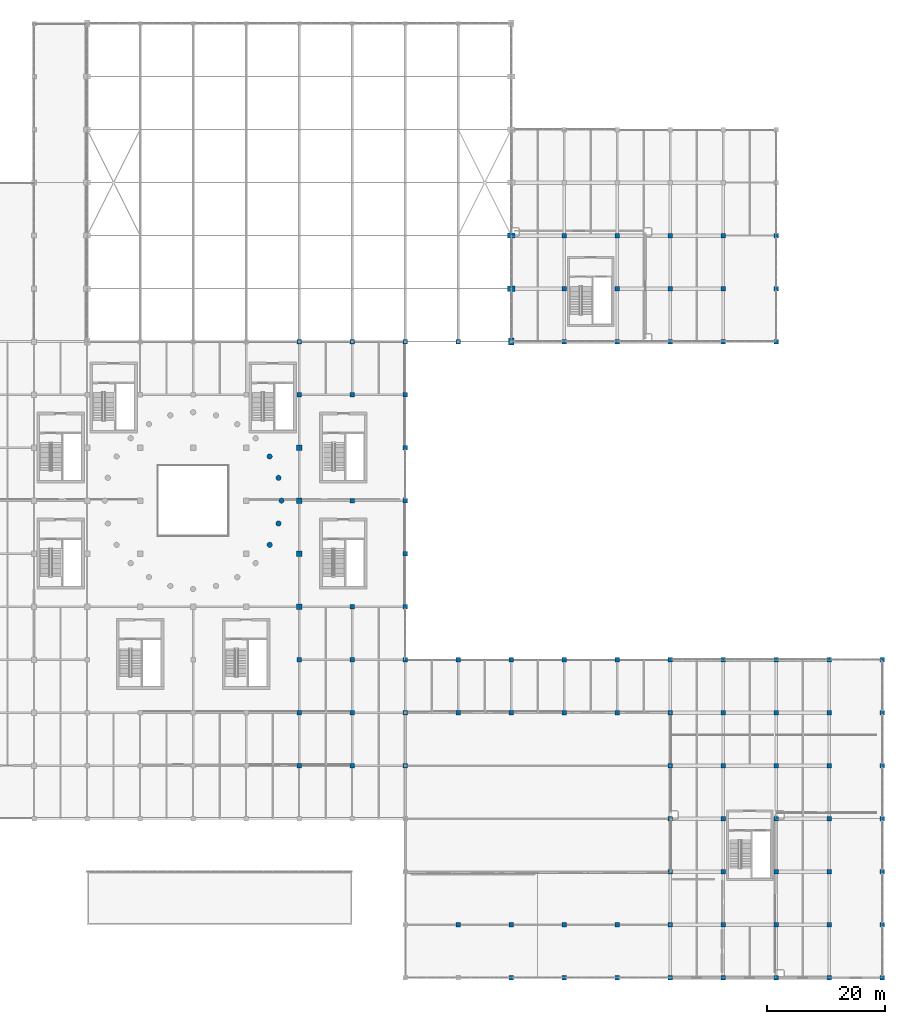
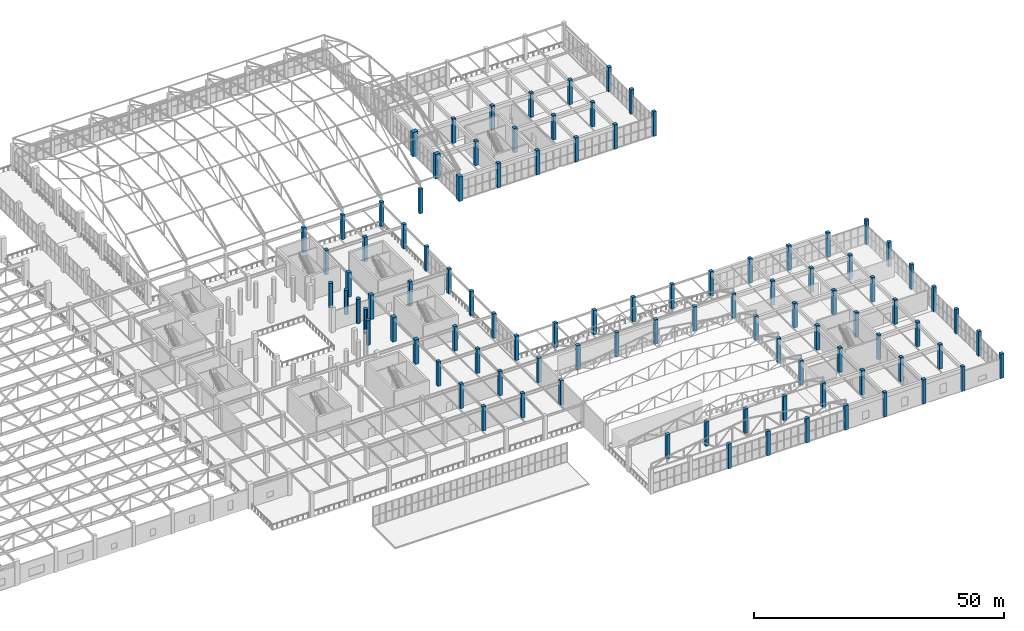
# One storey, part 2 of 223: 99 columns.
"""IFC4 building model written with IfcOpenShell, lengths in metres."""

from ifc_helpers import new_model, si_unit, direction, frame, origin, origin_2d, place, context, subcontext, project, spatial, rectangle, circle, extrude, material, material_profile, profile_set, type_object, element, save


model = new_model("IFC4")

# Units and contexts
model_context = context("Model", 3, precision=1e-05, world=origin(), true_north=direction((0.0, 1.0)))
body_context = subcontext(model_context, "Body", "Model", "MODEL_VIEW")
ifc_project = project(units=[si_unit("LENGTHUNIT", "METRE"), si_unit("AREAUNIT", "SQUARE_METRE"), si_unit("VOLUMEUNIT", "CUBIC_METRE"), si_unit("PLANEANGLEUNIT", "RADIAN"), si_unit("MASSUNIT", "GRAM", prefix="KILO")], contexts=[model_context])

# Site, building, storey
site_placement = place(None, origin())
site = spatial("IfcSite", under=ifc_project, at=site_placement, CompositionType="ELEMENT")
building_placement = place(site_placement, origin())
building = spatial("IfcBuilding", under=site, at=building_placement, Name="Dornveld Trade and Exhibition Forum", CompositionType="ELEMENT")
storey_placement = place(building_placement, frame((0.0, 0.0, 6.0)))
storey = spatial("IfcBuildingStorey", under=building, at=storey_placement, Name="L01", CompositionType="ELEMENT", Elevation=6.0)

# Columns
ifc_material_1 = material(Name="Precast concrete C50/60", Category="concrete")
ifc_material_profile_1 = material_profile(ifc_material_1, circle(Radius=0.449951171875, at=origin_2d()), Name="PC-COL D900")
ifc_profile_set_1 = profile_set([ifc_material_profile_1], Name="Precast concrete C50/60")
column_type_1 = type_object("IfcColumnType", Name="COL-DISC-D900", PredefinedType="COLUMN", material=ifc_profile_set_1)
for number, where, z_axis, x_axis, name in (
    (1, (129.989990234375, 73.5, 0.0), (0.0, 0.0, 1.0), (1.0, 0.0, 0.0), "L01 column (130.0, 73.5)"),
    (2, (129.989990234375, 88.5, 0.0), (0.0, 0.0, 1.0), (1.0, 0.0, 0.0), "L01 column (130.0, 88.5)"),
    (3, (131.489013671875, 77.117919921875, 0.0), (0.0, 0.0, 1.0), (1.0, 0.0, 0.0), "L01 column (131.5, 77.1)"),
    (4, (131.489013671875, 84.882080078125, 0.0), (0.0, 0.0, 1.0), (1.0, 0.0, 0.0), "L01 column (131.5, 84.9)"),
    (5, (132.0, 81.0, 0.0), (0.0, 0.0, 1.0), (1.0, 0.0, 0.0), "L01 column (132.0, 81.0)"),
):
    element("IfcColumn", number, at=place(storey_placement, frame(where, z_axis=z_axis, x_axis=x_axis)), inside=storey, type_object=column_type_1, Name=name, PredefinedType="COLUMN", context=body_context, shape_type="SweptSolid", body=[
        extrude(circle(Radius=0.449951171875, at=origin_2d()), origin(), (0.0, 0.0, 1.0), 6.0),
    ])
ifc_material_2 = material(Name="Precast concrete C50/60", Category="concrete")
ifc_material_profile_2 = material_profile(ifc_material_2, rectangle(XDim=0.75, YDim=0.75, at=origin_2d()), Name="PC-COL 750x750")
ifc_profile_set_2 = profile_set([ifc_material_profile_2], Name="Precast concrete C50/60")
column_type_2 = type_object("IfcColumnType", Name="COL-PC750", PredefinedType="COLUMN", material=ifc_profile_set_2)
for number, where, z_axis, x_axis, name in (
    (6, (135.0, 36.0, 0.0), (0.0, 0.0, 1.0), (1.0, 0.0, 0.0), "L01 column (135.0, 36.0)"),
    (7, (135.0, 45.0, 0.0), (0.0, 0.0, 1.0), (1.0, 0.0, 0.0), "L01 column (135.0, 45.0)"),
    (8, (135.0, 54.0, 0.0), (0.0, 0.0, 1.0), (1.0, 0.0, 0.0), "L01 column (135.0, 54.0)"),
    (9, (135.0, 99.0, 0.0), (0.0, 0.0, 1.0), (1.0, 0.0, 0.0), "L01 column (135.0, 99.0)"),
    (10, (135.0, 108.0, 0.0), (0.0, 0.0, 1.0), (1.0, 0.0, 0.0), "L01 column (135.0, 108.0)"),
    (11, (144.0, 36.0, 0.0), (0.0, 0.0, 1.0), (1.0, 0.0, 0.0), "L01 column (144.0, 36.0)"),
    (12, (144.0, 45.0, 0.0), (0.0, 0.0, 1.0), (1.0, 0.0, 0.0), "L01 column (144.0, 45.0)"),
    (13, (144.0, 54.0, 0.0), (0.0, 0.0, 1.0), (1.0, 0.0, 0.0), "L01 column (144.0, 54.0)"),
    (14, (144.0, 63.0, 0.0), (0.0, 0.0, 1.0), (1.0, 0.0, 0.0), "L01 column (144.0, 63.0)"),
    (15, (144.0, 81.0, 0.0), (0.0, 0.0, 1.0), (1.0, 0.0, 0.0), "L01 column (144.0, 81.0)"),
    (16, (144.0, 99.0, 0.0), (0.0, 0.0, 1.0), (1.0, 0.0, 0.0), "L01 column (144.0, 99.0)"),
    (17, (144.0, 108.0, 0.0), (0.0, 0.0, 1.0), (1.0, 0.0, 0.0), "L01 column (144.0, 108.0)"),
    (18, (153.0, 36.0, 0.0), (0.0, 0.0, 1.0), (1.0, 0.0, 0.0), "L01 column (153.0, 36.0)"),
    (19, (153.0, 45.0, 0.0), (0.0, 0.0, 1.0), (1.0, 0.0, 0.0), "L01 column (153.0, 45.0)"),
    (20, (153.0, 54.0, 0.0), (0.0, 0.0, 1.0), (1.0, 0.0, 0.0), "L01 column (153.0, 54.0)"),
    (21, (153.0, 63.0, 0.0), (0.0, 0.0, 1.0), (1.0, 0.0, 0.0), "L01 column (153.0, 63.0)"),
    (22, (153.0, 72.0, 0.0), (0.0, 0.0, 1.0), (1.0, 0.0, 0.0), "L01 column (153.0, 72.0)"),
    (23, (153.0, 81.0, 0.0), (0.0, 0.0, 1.0), (1.0, 0.0, 0.0), "L01 column (153.0, 81.0)"),
    (24, (153.0, 90.0, 0.0), (0.0, 0.0, 1.0), (1.0, 0.0, 0.0), "L01 column (153.0, 90.0)"),
    (25, (153.0, 99.0, 0.0), (0.0, 0.0, 1.0), (1.0, 0.0, 0.0), "L01 column (153.0, 99.0)"),
    (26, (153.0, 108.0, 0.0), (0.0, 0.0, 1.0), (1.0, 0.0, 0.0), "L01 column (153.0, 108.0)"),
    (27, (162.0, 9.0, 0.0), (0.0, 0.0, 1.0), (1.0, 0.0, 0.0), "L01 column (162.0, 9.0)"),
    (28, (162.0, 45.0, 0.0), (0.0, 0.0, 1.0), (1.0, 0.0, 0.0), "L01 column (162.0, 45.0)"),
    (29, (162.0, 54.0, 0.0), (0.0, 0.0, 1.0), (1.0, 0.0, 0.0), "L01 column (162.0, 54.0)"),
    (30, (171.0, 0.0, 0.0), (0.0, 0.0, 1.0), (1.0, 0.0, 0.0), "L01 column (171.0, 0.0)"),
    (31, (171.0, 9.0, 0.0), (0.0, 0.0, 1.0), (1.0, 0.0, 0.0), "L01 column (171.0, 9.0)"),
    (32, (171.0, 45.0, 0.0), (0.0, 0.0, 1.0), (1.0, 0.0, 0.0), "L01 column (171.0, 45.0)"),
    (33, (171.0, 54.0, 0.0), (0.0, 0.0, 1.0), (1.0, 0.0, 0.0), "L01 column (171.0, 54.0)"),
    (34, (180.0, 0.0, 0.0), (0.0, 0.0, 1.0), (1.0, 0.0, 0.0), "L01 column (180.0, 0.0)"),
    (35, (180.0, 9.0, 0.0), (0.0, 0.0, 1.0), (1.0, 0.0, 0.0), "L01 column (180.0, 9.0)"),
    (36, (180.0, 45.0, 0.0), (0.0, 0.0, 1.0), (1.0, 0.0, 0.0), "L01 column (180.0, 45.0)"),
    (37, (180.0, 54.0, 0.0), (0.0, 0.0, 1.0), (1.0, 0.0, 0.0), "L01 column (180.0, 54.0)"),
    (38, (180.0, 108.0, 0.0), (0.0, 0.0, 1.0), (1.0, 0.0, 0.0), "L01 column (180.0, 108.0)"),
    (39, (180.0, 117.0, 0.0), (0.0, 0.0, 1.0), (1.0, 0.0, 0.0), "L01 column (180.0, 117.0)"),
    (40, (180.0, 126.0, 0.0), (0.0, 0.0, 1.0), (1.0, 0.0, 0.0), "L01 column (180.0, 126.0)"),
    (41, (189.0, 0.0, 0.0), (0.0, 0.0, 1.0), (1.0, 0.0, 0.0), "L01 column (189.0, 0.0)"),
    (42, (189.0, 9.0, 0.0), (0.0, 0.0, 1.0), (1.0, 0.0, 0.0), "L01 column (189.0, 9.0)"),
    (43, (189.0, 45.0, 0.0), (0.0, 0.0, 1.0), (1.0, 0.0, 0.0), "L01 column (189.0, 45.0)"),
    (44, (189.0, 54.0, 0.0), (0.0, 0.0, 1.0), (1.0, 0.0, 0.0), "L01 column (189.0, 54.0)"),
    (45, (189.0, 108.0, 0.0), (0.0, 0.0, 1.0), (1.0, 0.0, 0.0), "L01 column (189.0, 108.0)"),
    (46, (189.0, 117.0, 0.0), (0.0, 0.0, 1.0), (1.0, 0.0, 0.0), "L01 column (189.0, 117.0)"),
    (47, (189.0, 126.0, 0.0), (0.0, 0.0, 1.0), (1.0, 0.0, 0.0), "L01 column (189.0, 126.0)"),
    (48, (198.0, 0.0, 0.0), (0.0, 0.0, 1.0), (1.0, 0.0, 0.0), "L01 column (198.0, 0.0)"),
    (49, (198.0, 9.0, 0.0), (0.0, 0.0, 1.0), (1.0, 0.0, 0.0), "L01 column (198.0, 9.0)"),
    (50, (198.0, 18.0, 0.0), (0.0, 0.0, 1.0), (1.0, 0.0, 0.0), "L01 column (198.0, 18.0)"),
    (51, (198.0, 27.0, 0.0), (0.0, 0.0, 1.0), (1.0, 0.0, 0.0), "L01 column (198.0, 27.0)"),
    (52, (198.0, 36.0, 0.0), (0.0, 0.0, 1.0), (1.0, 0.0, 0.0), "L01 column (198.0, 36.0)"),
    (53, (198.0, 45.0, 0.0), (0.0, 0.0, 1.0), (1.0, 0.0, 0.0), "L01 column (198.0, 45.0)"),
    (54, (198.0, 54.0, 0.0), (0.0, 0.0, 1.0), (1.0, 0.0, 0.0), "L01 column (198.0, 54.0)"),
    (55, (198.0, 108.0, 0.0), (0.0, 0.0, 1.0), (1.0, 0.0, 0.0), "L01 column (198.0, 108.0)"),
    (56, (198.0, 117.0, 0.0), (0.0, 0.0, 1.0), (1.0, 0.0, 0.0), "L01 column (198.0, 117.0)"),
    (57, (198.0, 126.0, 0.0), (0.0, 0.0, 1.0), (1.0, 0.0, 0.0), "L01 column (198.0, 126.0)"),
    (58, (207.0, 0.0, 0.0), (0.0, 0.0, 1.0), (1.0, 0.0, 0.0), "L01 column (207.0, 0.0)"),
    (59, (207.0, 9.0, 0.0), (0.0, 0.0, 1.0), (1.0, 0.0, 0.0), "L01 column (207.0, 9.0)"),
    (60, (207.0, 18.0, 0.0), (0.0, 0.0, 1.0), (1.0, 0.0, 0.0), "L01 column (207.0, 18.0)"),
    (61, (207.0, 27.0, 0.0), (0.0, 0.0, 1.0), (1.0, 0.0, 0.0), "L01 column (207.0, 27.0)"),
    (62, (207.0, 36.0, 0.0), (0.0, 0.0, 1.0), (1.0, 0.0, 0.0), "L01 column (207.0, 36.0)"),
    (63, (207.0, 45.0, 0.0), (0.0, 0.0, 1.0), (1.0, 0.0, 0.0), "L01 column (207.0, 45.0)"),
    (64, (207.0, 54.0, 0.0), (0.0, 0.0, 1.0), (1.0, 0.0, 0.0), "L01 column (207.0, 54.0)"),
    (65, (207.0, 108.0, 0.0), (0.0, 0.0, 1.0), (1.0, 0.0, 0.0), "L01 column (207.0, 108.0)"),
    (66, (207.0, 117.0, 0.0), (0.0, 0.0, 1.0), (1.0, 0.0, 0.0), "L01 column (207.0, 117.0)"),
    (67, (207.0, 126.0, 0.0), (0.0, 0.0, 1.0), (1.0, 0.0, 0.0), "L01 column (207.0, 126.0)"),
    (68, (216.0, 0.0, 0.0), (0.0, 0.0, 1.0), (1.0, 0.0, 0.0), "L01 column (216.0, 0.0)"),
    (69, (216.0, 9.0, 0.0), (0.0, 0.0, 1.0), (1.0, 0.0, 0.0), "L01 column (216.0, 9.0)"),
    (70, (216.0, 18.0, 0.0), (0.0, 0.0, 1.0), (1.0, 0.0, 0.0), "L01 column (216.0, 18.0)"),
    (71, (216.0, 27.0, 0.0), (0.0, 0.0, 1.0), (1.0, 0.0, 0.0), "L01 column (216.0, 27.0)"),
    (72, (216.0, 36.0, 0.0), (0.0, 0.0, 1.0), (1.0, 0.0, 0.0), "L01 column (216.0, 36.0)"),
    (73, (216.0, 45.0, 0.0), (0.0, 0.0, 1.0), (1.0, 0.0, 0.0), "L01 column (216.0, 45.0)"),
    (74, (216.0, 54.0, 0.0), (0.0, 0.0, 1.0), (1.0, 0.0, 0.0), "L01 column (216.0, 54.0)"),
    (75, (216.0, 108.0, 0.0), (0.0, 0.0, 1.0), (1.0, 0.0, 0.0), "L01 column (216.0, 108.0)"),
    (76, (216.0, 117.0, 0.0), (0.0, 0.0, 1.0), (1.0, 0.0, 0.0), "L01 column (216.0, 117.0)"),
    (77, (216.0, 126.0, 0.0), (0.0, 0.0, 1.0), (1.0, 0.0, 0.0), "L01 column (216.0, 126.0)"),
    (78, (225.0, 0.0, 0.0), (0.0, 0.0, 1.0), (1.0, 0.0, 0.0), "L01 column (225.0, 0.0)"),
    (79, (225.0, 9.0, 0.0), (0.0, 0.0, 1.0), (1.0, 0.0, 0.0), "L01 column (225.0, 9.0)"),
    (80, (225.0, 18.0, 0.0), (0.0, 0.0, 1.0), (1.0, 0.0, 0.0), "L01 column (225.0, 18.0)"),
    (81, (225.0, 27.0, 0.0), (0.0, 0.0, 1.0), (1.0, 0.0, 0.0), "L01 column (225.0, 27.0)"),
    (82, (225.0, 36.0, 0.0), (0.0, 0.0, 1.0), (1.0, 0.0, 0.0), "L01 column (225.0, 36.0)"),
    (83, (225.0, 45.0, 0.0), (0.0, 0.0, 1.0), (1.0, 0.0, 0.0), "L01 column (225.0, 45.0)"),
    (84, (225.0, 54.0, 0.0), (0.0, 0.0, 1.0), (1.0, 0.0, 0.0), "L01 column (225.0, 54.0)"),
    (85, (234.0, 0.0, 0.0), (0.0, 0.0, 1.0), (1.0, 0.0, 0.0), "L01 column (234.0, 0.0)"),
    (86, (234.0, 9.0, 0.0), (0.0, 0.0, 1.0), (1.0, 0.0, 0.0), "L01 column (234.0, 9.0)"),
    (87, (234.0, 18.0, 0.0), (0.0, 0.0, 1.0), (1.0, 0.0, 0.0), "L01 column (234.0, 18.0)"),
    (88, (234.0, 27.0, 0.0), (0.0, 0.0, 1.0), (1.0, 0.0, 0.0), "L01 column (234.0, 27.0)"),
    (89, (234.0, 36.0, 0.0), (0.0, 0.0, 1.0), (1.0, 0.0, 0.0), "L01 column (234.0, 36.0)"),
    (90, (234.0, 45.0, 0.0), (0.0, 0.0, 1.0), (1.0, 0.0, 0.0), "L01 column (234.0, 45.0)"),
    (91, (234.0, 54.0, 0.0), (0.0, 0.0, 1.0), (1.0, 0.0, 0.0), "L01 column (234.0, 54.0)"),
):
    element("IfcColumn", number, at=place(storey_placement, frame(where, z_axis=z_axis, x_axis=x_axis)), inside=storey, type_object=column_type_2, Name=name, PredefinedType="COLUMN", context=body_context, shape_type="SweptSolid", body=[
        extrude(rectangle(XDim=0.75, YDim=0.75, at=origin_2d()), origin(), (0.0, 0.0, 1.0), 6.0),
    ])
ifc_material_3 = material(Name="Precast concrete C50/60", Category="concrete")
ifc_material_profile_3 = material_profile(ifc_material_3, rectangle(XDim=0.89990234375, YDim=0.89990234375, at=origin_2d()), Name="PC-COL 900x900")
ifc_profile_set_3 = profile_set([ifc_material_profile_3], Name="Precast concrete C50/60")
column_type_3 = type_object("IfcColumnType", Name="COL-PC900", PredefinedType="COLUMN", material=ifc_profile_set_3)
for number, where, z_axis, x_axis, name in (
    (92, (135.0, 63.0, 0.0), (0.0, 0.0, 1.0), (1.0, 0.0, 0.0), "L01 column (135.0, 63.0)"),
    (93, (135.0, 72.0, 0.0), (0.0, 0.0, 1.0), (1.0, 0.0, 0.0), "L01 column (135.0, 72.0)"),
    (94, (135.0, 81.0, 0.0), (0.0, 0.0, 1.0), (1.0, 0.0, 0.0), "L01 column (135.0, 81.0)"),
    (95, (135.0, 90.0, 0.0), (0.0, 0.0, 1.0), (1.0, 0.0, 0.0), "L01 column (135.0, 90.0)"),
):
    element("IfcColumn", number, at=place(storey_placement, frame(where, z_axis=z_axis, x_axis=x_axis)), inside=storey, type_object=column_type_3, Name=name, PredefinedType="COLUMN", context=body_context, shape_type="SweptSolid", body=[
        extrude(rectangle(XDim=0.89990234375, YDim=0.89990234375, at=origin_2d()), origin(), (0.0, 0.0, 1.0), 6.0),
    ])
ifc_material_4 = material(Name="Precast concrete C50/60", Category="concrete")
ifc_material_profile_4 = material_profile(ifc_material_4, rectangle(XDim=1.199951171875, YDim=0.89990234375, at=origin_2d()), Name="PC-PIER 1200x900")
ifc_profile_set_4 = profile_set([ifc_material_profile_4], Name="Precast concrete C50/60")
column_type_4 = type_object("IfcColumnType", Name="COL-PIER1200", PredefinedType="COLUMN", material=ifc_profile_set_4)
for number, where, z_axis, x_axis, name in (
    (96, (171.0, 108.0, 0.0), (0.0, 0.0, 1.0), (0.0, 1.0, 0.0), "L01 column (171.0, 108.0)"),
    (97, (171.0, 117.0, 0.0), (0.0, 0.0, 1.0), (1.0, 0.0, 0.0), "L01 column (171.0, 117.0)"),
    (98, (171.0, 126.0, 0.0), (0.0, 0.0, 1.0), (1.0, 0.0, 0.0), "L01 column (171.0, 126.0)"),
):
    element("IfcColumn", number, at=place(storey_placement, frame(where, z_axis=z_axis, x_axis=x_axis)), inside=storey, type_object=column_type_4, Name=name, PredefinedType="COLUMN", context=body_context, shape_type="SweptSolid", body=[
        extrude(rectangle(XDim=1.199951171875, YDim=0.89990234375, at=origin_2d()), origin(), (0.0, 0.0, 1.0), 6.0),
    ])
ifc_material_5 = material(Name="Precast concrete C50/60", Category="concrete")
ifc_material_profile_5 = material_profile(ifc_material_5, rectangle(XDim=0.75, YDim=0.75, at=origin_2d()), Name="PC-COL 750x750")
ifc_profile_set_5 = profile_set([ifc_material_profile_5], Name="Precast concrete C50/60")
column_type_5 = type_object("IfcColumnType", Name="COL-PILASTER750", PredefinedType="PILASTER", material=ifc_profile_set_5)
column_placement = place(storey_placement, frame((162.0, 108.0, 0.0), z_axis=(0.0, 0.0, 1.0), x_axis=(1.0, 0.0, 0.0)))
element("IfcColumn", 99, at=column_placement, inside=storey, type_object=column_type_5, Name="L01 column (162.0, 108.0)", PredefinedType="PILASTER", context=body_context, shape_type="SweptSolid", body=[
    extrude(rectangle(XDim=0.75, YDim=0.75, at=origin_2d()), origin(), (0.0, 0.0, 1.0), 6.0),
])

save(model, "model.ifc")
